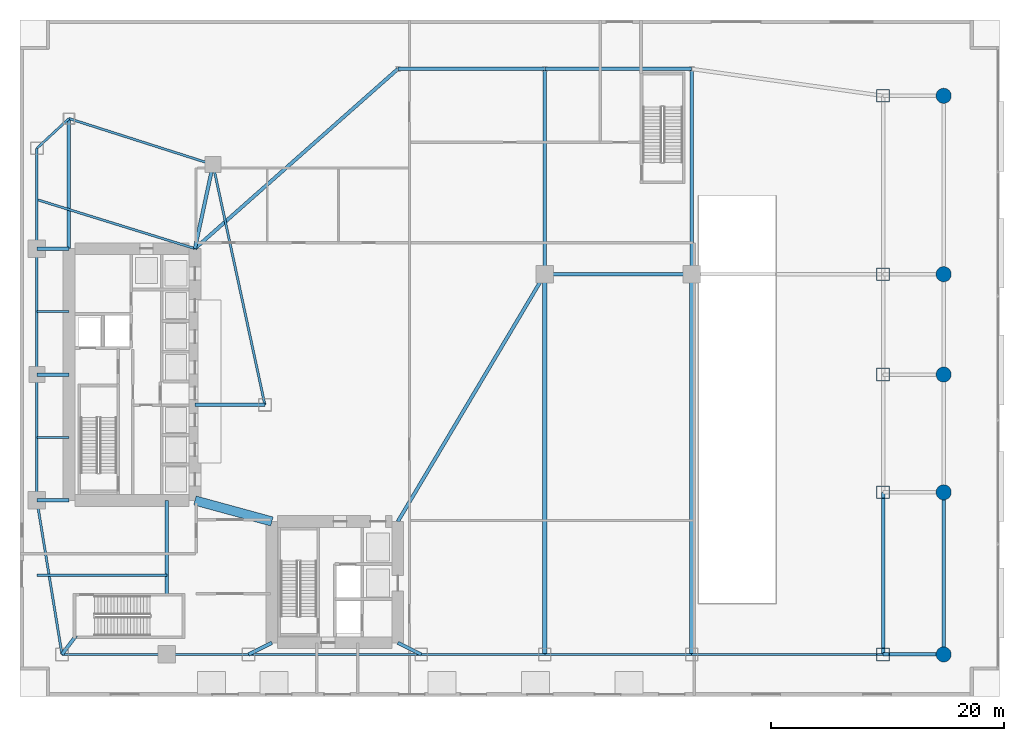
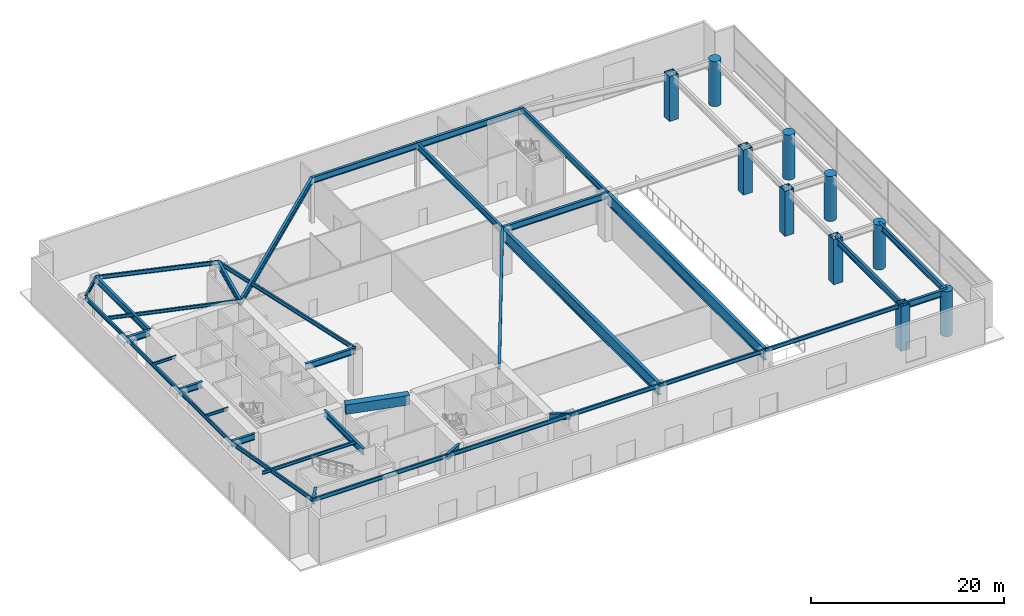
# One storey, part 3 of 20: 40 beams, 10 columns.
"""IFC4 building model written with IfcOpenShell, lengths in metres."""

from ifc_helpers import new_model, si_unit, direction, frame, origin, origin_2d, place, context, subcontext, project, spatial, rectangle, hollow_rectangle, circle, i_section, extrude, material, material_profile, profile_set, type_object, element, save


model = new_model("IFC4")

# Units and contexts
model_context = context("Model", 3, precision=1e-05, world=origin(), true_north=direction((0.0, 1.0)))
body_context = subcontext(model_context, "Body", "Model", "MODEL_VIEW")
ifc_project = project(units=[si_unit("LENGTHUNIT", "METRE"), si_unit("AREAUNIT", "SQUARE_METRE"), si_unit("VOLUMEUNIT", "CUBIC_METRE"), si_unit("PLANEANGLEUNIT", "RADIAN"), si_unit("MASSUNIT", "GRAM", prefix="KILO")], contexts=[model_context])

# Site, building, storey
site_placement = place(None, origin())
site = spatial("IfcSite", under=ifc_project, at=site_placement, CompositionType="ELEMENT")
building_placement = place(site_placement, origin())
building = spatial("IfcBuilding", under=site, at=building_placement, Name="Calvorn Quay Hotel", CompositionType="ELEMENT")
storey_placement = place(building_placement, origin())
storey = spatial("IfcBuildingStorey", under=building, at=storey_placement, Name="L00", CompositionType="ELEMENT", Elevation=0.0)

# Columns
ifc_material_1 = material(Name="Concrete C60", Category="concrete")
ifc_material_profile_1 = material_profile(ifc_material_1, circle(Radius=0.64990234375, at=origin_2d()), Name="RCD1300")
ifc_profile_set_1 = profile_set([ifc_material_profile_1], Name="Concrete C60")
column_type_1 = type_object("IfcColumnType", Name="COL-RC-D1300", PredefinedType="COLUMN", material=ifc_profile_set_1)
for number, where, z_axis, x_axis, name in (
    (1, (79.199951171875, 3.60009765625, 0.0), (0.0, 0.0, 1.0), (1.0, 0.0, 0.0), "Column C-PQ1 (L00)"),
    (2, (79.199951171875, 17.5, 0.0), (0.0, 0.0, 1.0), (1.0, 0.0, 0.0), "Column C-PQ2 (L00)"),
    (3, (79.199951171875, 27.60009765625, 0.0), (0.0, 0.0, 1.0), (1.0, 0.0, 0.0), "Column C-PQ3 (L00)"),
    (4, (79.199951171875, 36.199951171875, 0.0), (0.0, 0.0, 1.0), (1.0, 0.0, 0.0), "Column C-PQ4 (L00)"),
    (5, (79.199951171875, 51.5, 0.0), (0.0, 0.0, 1.0), (1.0, 0.0, 0.0), "Column C-PQ5 (L00)"),
):
    element("IfcColumn", number, at=place(storey_placement, frame(where, z_axis=z_axis, x_axis=x_axis)), inside=storey, type_object=column_type_1, Name=name, PredefinedType="COLUMN", context=body_context, shape_type="SweptSolid", body=[
        extrude(circle(Radius=0.64990234375, at=origin_2d()), origin(), (0.0, 0.0, 1.0), 5.679931640625),
    ])
ifc_material_2 = material(Name="Steel Q420GJC", Category="steel")
ifc_material_profile_2 = material_profile(ifc_material_2, hollow_rectangle(XDim=1.10009765625, YDim=1.10009765625, WallThickness=0.044921875, at=origin_2d()), Name="BOX1100x1100x45")
ifc_profile_set_2 = profile_set([ifc_material_profile_2], Name="Steel Q420GJC")
column_type_2 = type_object("IfcColumnType", Name="COL-STL-MEGA1", PredefinedType="COLUMN", material=ifc_profile_set_2)
for number, where, z_axis, x_axis, name in (
    (6, (74.0, 3.60009765625, 0.0), (0.0, 0.0, 1.0), (1.0, 0.0, 0.0), "Column C-PE1 (L00)"),
    (7, (74.0, 17.5, 0.0), (0.0, 0.0, 1.0), (1.0, 0.0, 0.0), "Column C-PE2 (L00)"),
    (8, (74.0, 27.60009765625, 0.0), (0.0, 0.0, 1.0), (1.0, 0.0, 0.0), "Column C-PE3 (L00)"),
    (9, (74.0, 36.199951171875, 0.0), (0.0, 0.0, 1.0), (1.0, 0.0, 0.0), "Column C-PE4 (L00)"),
    (10, (74.0, 51.5, 0.0), (0.0, 0.0, 1.0), (1.0, 0.0, 0.0), "Column C-PE5 (L00)"),
):
    element("IfcColumn", number, at=place(storey_placement, frame(where, z_axis=z_axis, x_axis=x_axis)), inside=storey, type_object=column_type_2, Name=name, PredefinedType="COLUMN", context=body_context, shape_type="SweptSolid", body=[
        extrude(hollow_rectangle(XDim=1.10009765625, YDim=1.10009765625, WallThickness=0.044921875, at=origin_2d()), origin(), (0.0, 0.0, 1.0), 5.679931640625),
    ])

# Beams
ifc_material_3 = material(Name="Steel Q390GJC", Category="steel")
ifc_material_profile_3 = material_profile(ifc_material_3, i_section(OverallWidth=0.300048828125, OverallDepth=0.800048828125, WebThickness=0.013916015625, FlangeThickness=0.02587890625, FilletRadius=0.02392578125, at=origin_2d()), Name="HN800x300x14x26")
ifc_profile_set_3 = profile_set([ifc_material_profile_3], Name="Steel Q390GJC")
beam_type_1 = type_object("IfcBeamType", Name="BM-GIRD-POD", PredefinedType="BEAM", material=ifc_profile_set_3)
beam_1_placement = place(storey_placement, frame((3.60009765625, 3.60009765625, 5.280029296875), z_axis=(0.600019532502, 0.799985350251, 0.0), x_axis=(-0.799985350251, 0.600019532502, 0.0)))
element("IfcBeam", 11, at=beam_1_placement, inside=storey, type_object=beam_type_1, Name="Beam BG-L00-W0", PredefinedType="BEAM", context=body_context, shape_type="SweptSolid", body=[
    extrude(i_section(OverallWidth=0.300048828125, OverallDepth=0.800048828125, WebThickness=0.013916015625, FlangeThickness=0.02587890625, FilletRadius=0.02392578125, at=origin_2d()), origin(), (0.0, 0.0, 1.0), 1.999755859375),
])
for number, where, z_axis, x_axis, name in (
    (12, (1.449951171875, 16.800048828125, 5.280029296875), (1.0, 0.0, 0.0), (0.0, 1.0, 0.0), "Beam BG-L00-W1"),
    (13, (1.449951171875, 27.60009765625, 5.280029296875), (1.0, 0.0, 0.0), (0.0, 1.0, 0.0), "Beam BG-L00-W2"),
    (14, (1.449951171875, 38.39990234375, 5.280029296875), (1.0, 0.0, 0.0), (0.0, 1.0, 0.0), "Beam BG-L00-W3"),
):
    element("IfcBeam", number, at=place(storey_placement, frame(where, z_axis=z_axis, x_axis=x_axis)), inside=storey, type_object=beam_type_1, Name=name, PredefinedType="BEAM", context=body_context, shape_type="SweptSolid", body=[
        extrude(i_section(OverallWidth=0.300048828125, OverallDepth=0.800048828125, WebThickness=0.013916015625, FlangeThickness=0.02587890625, FilletRadius=0.02392578125, at=origin_2d()), origin(), (0.0, 0.0, 1.0), 2.75),
    ])
beam_2_placement = place(storey_placement, frame((4.199951171875, 49.550048828125, 5.280029296875), z_axis=(0.0, -1.0, 0.0), x_axis=(1.0, 0.0, 0.0)))
element("IfcBeam", 15, at=beam_2_placement, inside=storey, type_object=beam_type_1, Name="Beam BG-L00-W5", PredefinedType="BEAM", context=body_context, shape_type="SweptSolid", body=[
    extrude(i_section(OverallWidth=0.300048828125, OverallDepth=0.800048828125, WebThickness=0.013916015625, FlangeThickness=0.02587890625, FilletRadius=0.02392578125, at=origin_2d()), origin(), (0.0, 0.0, 1.0), 11.150146484375),
])
beam_3_placement = place(storey_placement, frame((16.550048828125, 45.60009765625, 5.280029296875), z_axis=(-0.210457140491, -0.97760308511, 0.0), x_axis=(0.97760308511, -0.210457140491, 0.0)))
element("IfcBeam", 16, at=beam_3_placement, inside=storey, type_object=beam_type_1, Name="Beam BG-L00-W6", PredefinedType="BEAM", context=body_context, shape_type="SweptSolid", body=[
    extrude(i_section(OverallWidth=0.300048828125, OverallDepth=0.800048828125, WebThickness=0.013916015625, FlangeThickness=0.02587890625, FilletRadius=0.02392578125, at=origin_2d()), origin(), (0.0, 0.0, 1.0), 7.365234375),
])
beam_4_placement = place(storey_placement, frame((21.0, 25.0, 5.280029296875), z_axis=(-1.0, 0.0, 0.0), x_axis=(0.0, -1.0, 0.0)))
element("IfcBeam", 17, at=beam_4_placement, inside=storey, type_object=beam_type_1, Name="Beam BG-L00-W7", PredefinedType="BEAM", context=body_context, shape_type="SweptSolid", body=[
    extrude(i_section(OverallWidth=0.300048828125, OverallDepth=0.800048828125, WebThickness=0.013916015625, FlangeThickness=0.02587890625, FilletRadius=0.02392578125, at=origin_2d()), origin(), (0.0, 0.0, 1.0), 6.0),
])
beam_5_placement = place(storey_placement, frame((12.60009765625, 8.719970703125, 5.280029296875), z_axis=(0.0, 1.0, 0.0), x_axis=(-1.0, 0.0, 0.0)))
element("IfcBeam", 18, at=beam_5_placement, inside=storey, type_object=beam_type_1, Name="Beam BG-L00-S1", PredefinedType="BEAM", context=body_context, shape_type="SweptSolid", body=[
    extrude(i_section(OverallWidth=0.300048828125, OverallDepth=0.800048828125, WebThickness=0.013916015625, FlangeThickness=0.02587890625, FilletRadius=0.02392578125, at=origin_2d()), origin(), (0.0, 0.0, 1.0), 8.080078125),
])
for number, where, z_axis, x_axis, name in (
    (19, (19.60009765625, 3.60009765625, 5.280029296875), (0.894427191, 0.4472135955, 0.0), (-0.4472135955, 0.894427191, 0.0), "Beam BG-L00-S2"),
    (20, (34.39990234375, 3.60009765625, 5.280029296875), (-0.894427191, 0.4472135955, 0.0), (-0.4472135955, -0.894427191, 0.0), "Beam BG-L00-S3"),
):
    element("IfcBeam", number, at=place(storey_placement, frame(where, z_axis=z_axis, x_axis=x_axis)), inside=storey, type_object=beam_type_1, Name=name, PredefinedType="BEAM", context=body_context, shape_type="SweptSolid", body=[
        extrude(i_section(OverallWidth=0.300048828125, OverallDepth=0.800048828125, WebThickness=0.013916015625, FlangeThickness=0.02587890625, FilletRadius=0.02392578125, at=origin_2d()), origin(), (0.0, 0.0, 1.0), 2.236083984375),
    ])
beam_6_placement = place(storey_placement, frame((74.0, 3.60009765625, 5.280029296875), z_axis=(0.0, 1.0, 0.0), x_axis=(-1.0, 0.0, 0.0)))
element("IfcBeam", 21, at=beam_6_placement, inside=storey, type_object=beam_type_1, Name="Beam BG-L00-PE1", PredefinedType="BEAM", context=body_context, shape_type="SweptSolid", body=[
    extrude(i_section(OverallWidth=0.300048828125, OverallDepth=0.800048828125, WebThickness=0.013916015625, FlangeThickness=0.02587890625, FilletRadius=0.02392578125, at=origin_2d()), origin(), (0.0, 0.0, 1.0), 13.89990234375),
])
beam_7_placement = place(storey_placement, frame((32.39990234375, 15.0, 5.280029296875), z_axis=(0.510917247409, 0.859629900771, 0.0), x_axis=(-0.859629900771, 0.510917247409, 0.0)))
element("IfcBeam", 22, at=beam_7_placement, inside=storey, type_object=beam_type_1, Name="Beam BG-L00-PN1", PredefinedType="BEAM", context=body_context, shape_type="SweptSolid", body=[
    extrude(i_section(OverallWidth=0.300048828125, OverallDepth=0.800048828125, WebThickness=0.013916015625, FlangeThickness=0.02587890625, FilletRadius=0.02392578125, at=origin_2d()), origin(), (0.0, 0.0, 1.0), 24.66162109375),
])
beam_8_placement = place(storey_placement, frame((45.0, 36.199951171875, 5.280029296875), z_axis=(1.0, 0.0, 0.0), x_axis=(0.0, 1.0, 0.0)))
element("IfcBeam", 23, at=beam_8_placement, inside=storey, type_object=beam_type_1, Name="Beam BG-L00-PN2", PredefinedType="BEAM", context=body_context, shape_type="SweptSolid", body=[
    extrude(i_section(OverallWidth=0.300048828125, OverallDepth=0.800048828125, WebThickness=0.013916015625, FlangeThickness=0.02587890625, FilletRadius=0.02392578125, at=origin_2d()), origin(), (0.0, 0.0, 1.0), 12.60009765625),
])
beam_9_placement = place(storey_placement, frame((15.0, 38.39990234375, 5.280029296875), z_axis=(0.748827276571, 0.662765199647, 0.0), x_axis=(-0.662765199647, 0.748827276571, 0.0)))
element("IfcBeam", 24, at=beam_9_placement, inside=storey, type_object=beam_type_1, Name="Beam BG-L00-PN4", PredefinedType="BEAM", context=body_context, shape_type="SweptSolid", body=[
    extrude(i_section(OverallWidth=0.300048828125, OverallDepth=0.800048828125, WebThickness=0.013916015625, FlangeThickness=0.02587890625, FilletRadius=0.02392578125, at=origin_2d()), origin(), (0.0, 0.0, 1.0), 23.236083984375),
])
for number, where, z_axis, x_axis, name in (
    (25, (32.39990234375, 53.800048828125, 5.280029296875), (1.0, 0.0, 0.0), (0.0, 1.0, 0.0), "Beam BG-L00-PN5"),
    (26, (45.0, 53.800048828125, 5.280029296875), (1.0, 0.0, 0.0), (0.0, 1.0, 0.0), "Beam BG-L00-PN6"),
):
    element("IfcBeam", number, at=place(storey_placement, frame(where, z_axis=z_axis, x_axis=x_axis)), inside=storey, type_object=beam_type_1, Name=name, PredefinedType="BEAM", context=body_context, shape_type="SweptSolid", body=[
        extrude(i_section(OverallWidth=0.300048828125, OverallDepth=0.800048828125, WebThickness=0.013916015625, FlangeThickness=0.02587890625, FilletRadius=0.02392578125, at=origin_2d()), origin(), (0.0, 0.0, 1.0), 12.60009765625),
    ])
for number, where, z_axis, x_axis, name in (
    (27, (45.0, 36.199951171875, 5.280029296875), (0.0, 1.0, 0.0), (-1.0, 0.0, 0.0), "Beam BG-L00-PN8"),
    (28, (57.60009765625, 36.199951171875, 5.280029296875), (0.0, 1.0, 0.0), (-1.0, 0.0, 0.0), "Beam BG-L00-PN9"),
):
    element("IfcBeam", number, at=place(storey_placement, frame(where, z_axis=z_axis, x_axis=x_axis)), inside=storey, type_object=beam_type_1, Name=name, PredefinedType="BEAM", context=body_context, shape_type="SweptSolid", body=[
        extrude(i_section(OverallWidth=0.300048828125, OverallDepth=0.800048828125, WebThickness=0.013916015625, FlangeThickness=0.02587890625, FilletRadius=0.02392578125, at=origin_2d()), origin(), (0.0, 0.0, 1.0), 17.60009765625),
    ])
beam_10_placement = place(storey_placement, frame((79.199951171875, 3.60009765625, 5.280029296875), z_axis=(0.0, 1.0, 0.0), x_axis=(-1.0, 0.0, 0.0)))
element("IfcBeam", 29, at=beam_10_placement, inside=storey, type_object=beam_type_1, Name="Beam BSP-L00-Q1", PredefinedType="BEAM", context=body_context, shape_type="SweptSolid", body=[
    extrude(i_section(OverallWidth=0.300048828125, OverallDepth=0.800048828125, WebThickness=0.013916015625, FlangeThickness=0.02587890625, FilletRadius=0.02392578125, at=origin_2d()), origin(), (0.0, 0.0, 1.0), 13.89990234375),
])
beam_11_placement = place(storey_placement, frame((74.0, 3.60009765625, 5.280029296875), z_axis=(1.0, 0.0, 0.0), x_axis=(0.0, 1.0, 0.0)))
element("IfcBeam", 30, at=beam_11_placement, inside=storey, type_object=beam_type_1, Name="Beam BG-L00-EQ1", PredefinedType="BEAM", context=body_context, shape_type="SweptSolid", body=[
    extrude(i_section(OverallWidth=0.300048828125, OverallDepth=0.800048828125, WebThickness=0.013916015625, FlangeThickness=0.02587890625, FilletRadius=0.02392578125, at=origin_2d()), origin(), (0.0, 0.0, 1.0), 5.199951171875),
])
ifc_material_4 = material(Name="Steel Q355B", Category="steel")
ifc_material_profile_4 = material_profile(ifc_material_4, i_section(OverallWidth=0.175048828125, OverallDepth=0.35009765625, WebThickness=0.007080078125, FlangeThickness=0.010986328125, FilletRadius=0.013916015625, at=origin_2d()), Name="HN350x175x7x11")
ifc_profile_set_4 = profile_set([ifc_material_profile_4], Name="Steel Q355B")
beam_type_2 = type_object("IfcBeamType", Name="BM-JOIST-SEC", PredefinedType="JOIST", material=ifc_profile_set_4)
for number, where, z_axis, x_axis, name in (
    (31, (1.449951171875, 22.199951171875, 5.5048828125), (1.0, 0.0, 0.0), (0.0, 1.0, 0.0), "Beam BJ-L00-W3"),
    (32, (1.449951171875, 33.0, 5.5048828125), (1.0, 0.0, 0.0), (0.0, 1.0, 0.0), "Beam BJ-L00-W4"),
):
    element("IfcBeam", number, at=place(storey_placement, frame(where, z_axis=z_axis, x_axis=x_axis)), inside=storey, type_object=beam_type_2, Name=name, PredefinedType="JOIST", context=body_context, shape_type="SweptSolid", body=[
        extrude(i_section(OverallWidth=0.175048828125, OverallDepth=0.35009765625, WebThickness=0.007080078125, FlangeThickness=0.010986328125, FilletRadius=0.013916015625, at=origin_2d()), origin(), (0.0, 0.0, 1.0), 2.75),
    ])
ifc_material_5 = material(Name="Steel Q355B", Category="steel")
ifc_material_profile_5 = material_profile(ifc_material_5, i_section(OverallWidth=0.199951171875, OverallDepth=0.39990234375, WebThickness=0.008056640625, FlangeThickness=0.012939453125, FilletRadius=0.01611328125, at=origin_2d()), Name="HN400x200x8x13")
ifc_profile_set_5 = profile_set([ifc_material_profile_5], Name="Steel Q355B")
beam_type_3 = type_object("IfcBeamType", Name="BM-JOIST-TYP", PredefinedType="JOIST", material=ifc_profile_set_5)
beam_12_placement = place(storey_placement, frame((1.449951171875, 10.39990234375, 5.47998046875), z_axis=(1.0, 0.0, 0.0), x_axis=(0.0, 1.0, 0.0)))
element("IfcBeam", 33, at=beam_12_placement, inside=storey, type_object=beam_type_3, Name="Beam BJ-L00-W1", PredefinedType="JOIST", context=body_context, shape_type="SweptSolid", body=[
    extrude(i_section(OverallWidth=0.199951171875, OverallDepth=0.39990234375, WebThickness=0.008056640625, FlangeThickness=0.012939453125, FilletRadius=0.01611328125, at=origin_2d()), origin(), (0.0, 0.0, 1.0), 11.150146484375),
])
beam_13_placement = place(storey_placement, frame((1.449951171875, 42.60009765625, 5.47998046875), z_axis=(0.955163702122, -0.296078202759, 0.0), x_axis=(0.296078202759, 0.955163702122, 0.0)))
element("IfcBeam", 34, at=beam_13_placement, inside=storey, type_object=beam_type_3, Name="Beam BJ-L00-W2", PredefinedType="JOIST", context=body_context, shape_type="SweptSolid", body=[
    extrude(i_section(OverallWidth=0.199951171875, OverallDepth=0.39990234375, WebThickness=0.008056640625, FlangeThickness=0.012939453125, FilletRadius=0.01611328125, at=origin_2d()), origin(), (0.0, 0.0, 1.0), 14.18603515625),
])
ifc_material_6 = material(Name="Concrete C60", Category="concrete")
ifc_material_profile_6 = material_profile(ifc_material_6, rectangle(XDim=0.800048828125, YDim=1.199951171875, at=origin_2d()), Name="RCB800x1200")
ifc_profile_set_6 = profile_set([ifc_material_profile_6], Name="Concrete C60")
beam_type_4 = type_object("IfcBeamType", Name="BM-RC-LINK-800x1200", PredefinedType="BEAM", material=ifc_profile_set_6)
beam_14_placement = place(storey_placement, frame((15.0, 16.800048828125, 5.080078125), z_axis=(0.964762997686, -0.263120425462, 0.0), x_axis=(0.263120425462, 0.964762997686, 0.0)))
element("IfcBeam", 35, at=beam_14_placement, inside=storey, type_object=beam_type_4, Name="Beam BCL-L00-01", PredefinedType="BEAM", context=body_context, shape_type="SweptSolid", body=[
    extrude(rectangle(XDim=0.800048828125, YDim=1.199951171875, at=origin_2d()), origin(), (0.0, 0.0, 1.0), 6.841064453125),
])
ifc_material_7 = material(Name="Steel Q355B", Category="steel")
ifc_material_profile_7 = material_profile(ifc_material_7, i_section(OverallWidth=0.199951171875, OverallDepth=0.5, WebThickness=0.010009765625, FlangeThickness=0.01611328125, FilletRadius=0.01611328125, at=origin_2d()), Name="HN500x200x10x16")
ifc_profile_set_7 = profile_set([ifc_material_profile_7], Name="Steel Q355B")
beam_type_5 = type_object("IfcBeamType", Name="BM-SPANDREL-Z1", PredefinedType="SPANDREL", material=ifc_profile_set_7)
beam_15_placement = place(storey_placement, frame((3.60009765625, 3.60009765625, 5.429931640625), z_axis=(-0.16077155054, 0.986991645627, 0.0), x_axis=(-0.986991645627, -0.16077155054, 0.0)))
element("IfcBeam", 36, at=beam_15_placement, inside=storey, type_object=beam_type_5, Name="Beam BSP-L00-W1", PredefinedType="SPANDREL", context=body_context, shape_type="SweptSolid", body=[
    extrude(i_section(OverallWidth=0.199951171875, OverallDepth=0.5, WebThickness=0.010009765625, FlangeThickness=0.01611328125, FilletRadius=0.01611328125, at=origin_2d()), origin(), (0.0, 0.0, 1.0), 13.3740234375),
])
beam_16_placement = place(storey_placement, frame((1.449951171875, 16.800048828125, 5.429931640625), z_axis=(0.0, 1.0, 0.0), x_axis=(-1.0, 0.0, 0.0)))
element("IfcBeam", 37, at=beam_16_placement, inside=storey, type_object=beam_type_5, Name="Beam BSP-L00-W2", PredefinedType="SPANDREL", context=body_context, shape_type="SweptSolid", body=[
    extrude(i_section(OverallWidth=0.199951171875, OverallDepth=0.5, WebThickness=0.010009765625, FlangeThickness=0.01611328125, FilletRadius=0.01611328125, at=origin_2d()), origin(), (0.0, 0.0, 1.0), 10.800048828125),
])
beam_17_placement = place(storey_placement, frame((1.449951171875, 27.60009765625, 5.429931640625), z_axis=(0.0, 1.0, 0.0), x_axis=(-1.0, 0.0, 0.0)))
element("IfcBeam", 38, at=beam_17_placement, inside=storey, type_object=beam_type_5, Name="Beam BSP-L00-W3", PredefinedType="SPANDREL", context=body_context, shape_type="SweptSolid", body=[
    extrude(i_section(OverallWidth=0.199951171875, OverallDepth=0.5, WebThickness=0.010009765625, FlangeThickness=0.01611328125, FilletRadius=0.01611328125, at=origin_2d()), origin(), (0.0, 0.0, 1.0), 10.7998046875),
])
beam_18_placement = place(storey_placement, frame((1.449951171875, 38.39990234375, 5.429931640625), z_axis=(0.0, 1.0, 0.0), x_axis=(-1.0, 0.0, 0.0)))
element("IfcBeam", 39, at=beam_18_placement, inside=storey, type_object=beam_type_5, Name="Beam BSP-L00-W4", PredefinedType="SPANDREL", context=body_context, shape_type="SweptSolid", body=[
    extrude(i_section(OverallWidth=0.199951171875, OverallDepth=0.5, WebThickness=0.010009765625, FlangeThickness=0.01611328125, FilletRadius=0.01611328125, at=origin_2d()), origin(), (0.0, 0.0, 1.0), 8.60009765625),
])
beam_19_placement = place(storey_placement, frame((1.449951171875, 47.0, 5.429931640625), z_axis=(0.733261665538, 0.679946563969, 0.0), x_axis=(-0.679946563969, 0.733261665538, 0.0)))
element("IfcBeam", 40, at=beam_19_placement, inside=storey, type_object=beam_type_5, Name="Beam BSP-L00-W5", PredefinedType="SPANDREL", context=body_context, shape_type="SweptSolid", body=[
    extrude(i_section(OverallWidth=0.199951171875, OverallDepth=0.5, WebThickness=0.010009765625, FlangeThickness=0.01611328125, FilletRadius=0.01611328125, at=origin_2d()), origin(), (0.0, 0.0, 1.0), 3.75048828125),
])
beam_20_placement = place(storey_placement, frame((4.199951171875, 49.550048828125, 5.429931640625), z_axis=(0.952470702374, -0.304630203885, 0.0), x_axis=(0.304630203885, 0.952470702374, 0.0)))
element("IfcBeam", 41, at=beam_20_placement, inside=storey, type_object=beam_type_5, Name="Beam BSP-L00-W6", PredefinedType="SPANDREL", context=body_context, shape_type="SweptSolid", body=[
    extrude(i_section(OverallWidth=0.199951171875, OverallDepth=0.5, WebThickness=0.010009765625, FlangeThickness=0.01611328125, FilletRadius=0.01611328125, at=origin_2d()), origin(), (0.0, 0.0, 1.0), 12.96630859375),
])
beam_21_placement = place(storey_placement, frame((16.550048828125, 45.60009765625, 5.429931640625), z_axis=(0.211145848376, -0.977454567084, 0.0), x_axis=(0.977454567084, 0.211145848376, 0.0)))
element("IfcBeam", 42, at=beam_21_placement, inside=storey, type_object=beam_type_5, Name="Beam BSP-L00-W7", PredefinedType="SPANDREL", context=body_context, shape_type="SweptSolid", body=[
    extrude(i_section(OverallWidth=0.199951171875, OverallDepth=0.5, WebThickness=0.010009765625, FlangeThickness=0.01611328125, FilletRadius=0.01611328125, at=origin_2d()), origin(), (0.0, 0.0, 1.0), 21.0751953125),
])
beam_22_placement = place(storey_placement, frame((3.60009765625, 3.60009765625, 5.429931640625), z_axis=(1.0, 0.0, 0.0), x_axis=(0.0, 1.0, 0.0)))
element("IfcBeam", 43, at=beam_22_placement, inside=storey, type_object=beam_type_5, Name="Beam BSP-L00-S1", PredefinedType="SPANDREL", context=body_context, shape_type="SweptSolid", body=[
    extrude(i_section(OverallWidth=0.199951171875, OverallDepth=0.5, WebThickness=0.010009765625, FlangeThickness=0.01611328125, FilletRadius=0.01611328125, at=origin_2d()), origin(), (0.0, 0.0, 1.0), 9.0),
])
beam_23_placement = place(storey_placement, frame((12.60009765625, 3.60009765625, 5.429931640625), z_axis=(1.0, 0.0, 0.0), x_axis=(0.0, 1.0, 0.0)))
element("IfcBeam", 44, at=beam_23_placement, inside=storey, type_object=beam_type_5, Name="Beam BSP-L00-S2", PredefinedType="SPANDREL", context=body_context, shape_type="SweptSolid", body=[
    extrude(i_section(OverallWidth=0.199951171875, OverallDepth=0.5, WebThickness=0.010009765625, FlangeThickness=0.01611328125, FilletRadius=0.01611328125, at=origin_2d()), origin(), (0.0, 0.0, 1.0), 7.0),
])
beam_24_placement = place(storey_placement, frame((19.60009765625, 3.60009765625, 5.429931640625), z_axis=(1.0, 0.0, 0.0), x_axis=(0.0, 1.0, 0.0)))
element("IfcBeam", 45, at=beam_24_placement, inside=storey, type_object=beam_type_5, Name="Beam BSP-L00-S3", PredefinedType="SPANDREL", context=body_context, shape_type="SweptSolid", body=[
    extrude(i_section(OverallWidth=0.199951171875, OverallDepth=0.5, WebThickness=0.010009765625, FlangeThickness=0.01611328125, FilletRadius=0.01611328125, at=origin_2d()), origin(), (0.0, 0.0, 1.0), 14.7998046875),
])
beam_25_placement = place(storey_placement, frame((34.39990234375, 3.60009765625, 5.429931640625), z_axis=(1.0, 0.0, 0.0), x_axis=(0.0, 1.0, 0.0)))
element("IfcBeam", 46, at=beam_25_placement, inside=storey, type_object=beam_type_5, Name="Beam BSP-L00-S4", PredefinedType="SPANDREL", context=body_context, shape_type="SweptSolid", body=[
    extrude(i_section(OverallWidth=0.199951171875, OverallDepth=0.5, WebThickness=0.010009765625, FlangeThickness=0.01611328125, FilletRadius=0.01611328125, at=origin_2d()), origin(), (0.0, 0.0, 1.0), 10.60009765625),
])
beam_26_placement = place(storey_placement, frame((45.0, 3.60009765625, 5.429931640625), z_axis=(1.0, 0.0, 0.0), x_axis=(0.0, 1.0, 0.0)))
element("IfcBeam", 47, at=beam_26_placement, inside=storey, type_object=beam_type_5, Name="Beam BSP-L00-S5", PredefinedType="SPANDREL", context=body_context, shape_type="SweptSolid", body=[
    extrude(i_section(OverallWidth=0.199951171875, OverallDepth=0.5, WebThickness=0.010009765625, FlangeThickness=0.01611328125, FilletRadius=0.01611328125, at=origin_2d()), origin(), (0.0, 0.0, 1.0), 12.60009765625),
])
beam_27_placement = place(storey_placement, frame((57.60009765625, 3.60009765625, 5.429931640625), z_axis=(1.0, 0.0, 0.0), x_axis=(0.0, 1.0, 0.0)))
element("IfcBeam", 48, at=beam_27_placement, inside=storey, type_object=beam_type_5, Name="Beam BSP-L00-S6", PredefinedType="SPANDREL", context=body_context, shape_type="SweptSolid", body=[
    extrude(i_section(OverallWidth=0.199951171875, OverallDepth=0.5, WebThickness=0.010009765625, FlangeThickness=0.01611328125, FilletRadius=0.01611328125, at=origin_2d()), origin(), (0.0, 0.0, 1.0), 16.39990234375),
])
ifc_material_8 = material(Name="Steel Q420GJC", Category="steel")
ifc_material_profile_8 = material_profile(ifc_material_8, i_section(OverallWidth=0.3798828125, OverallDepth=1.5, WebThickness=0.02197265625, FlangeThickness=0.0380859375, FilletRadius=0.02392578125, at=origin_2d()), Name="HN1500x380x22x38")
ifc_profile_set_8 = profile_set([ifc_material_profile_8], Name="Steel Q420GJC")
beam_type_6 = type_object("IfcBeamType", Name="BM-XFER-STEP2", PredefinedType="BEAM", material=ifc_profile_set_8)
for number, where, z_axis, x_axis, name in (
    (49, (45.0, 3.60009765625, 4.929931640625), (0.0, 1.0, 0.0), (-1.0, 0.0, 0.0), "Beam BG-L00-C-PN1"),
    (50, (57.60009765625, 3.60009765625, 4.929931640625), (0.0, 1.0, 0.0), (-1.0, 0.0, 0.0), "Beam BG-L00-C-PN2"),
):
    element("IfcBeam", number, at=place(storey_placement, frame(where, z_axis=z_axis, x_axis=x_axis)), inside=storey, type_object=beam_type_6, Name=name, PredefinedType="BEAM", context=body_context, shape_type="SweptSolid", body=[
        extrude(i_section(OverallWidth=0.3798828125, OverallDepth=1.5, WebThickness=0.02197265625, FlangeThickness=0.0380859375, FilletRadius=0.02392578125, at=origin_2d()), origin(), (0.0, 0.0, 1.0), 32.599853515625),
    ])

save(model, "model.ifc")
